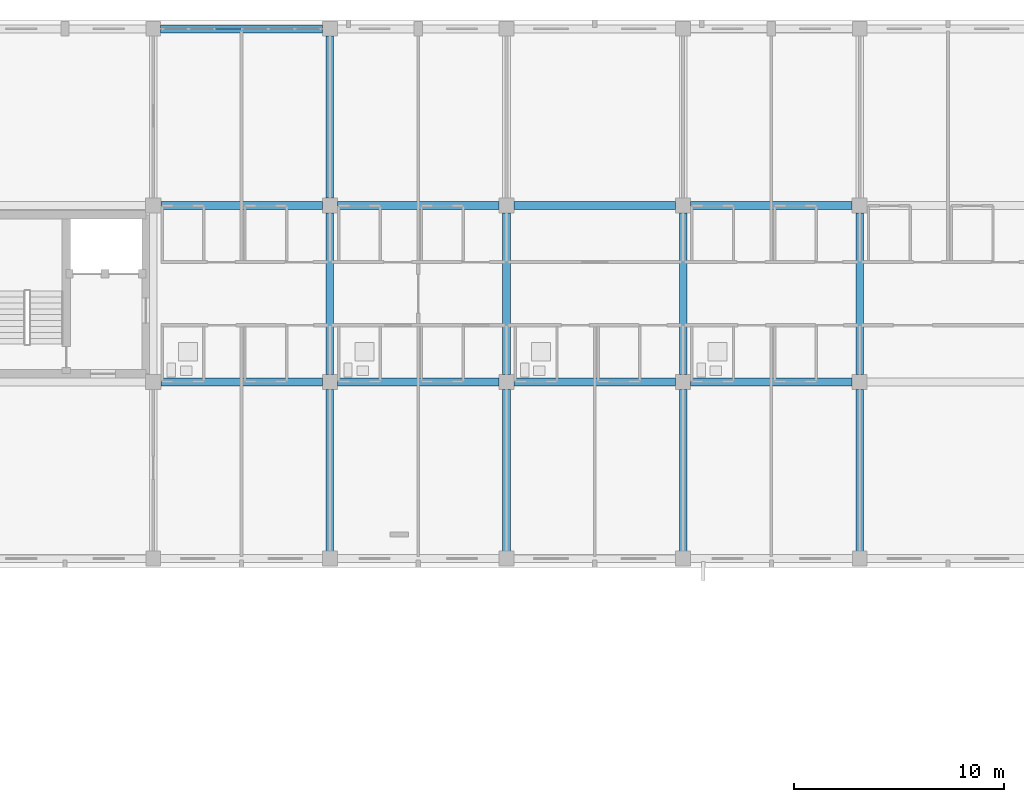
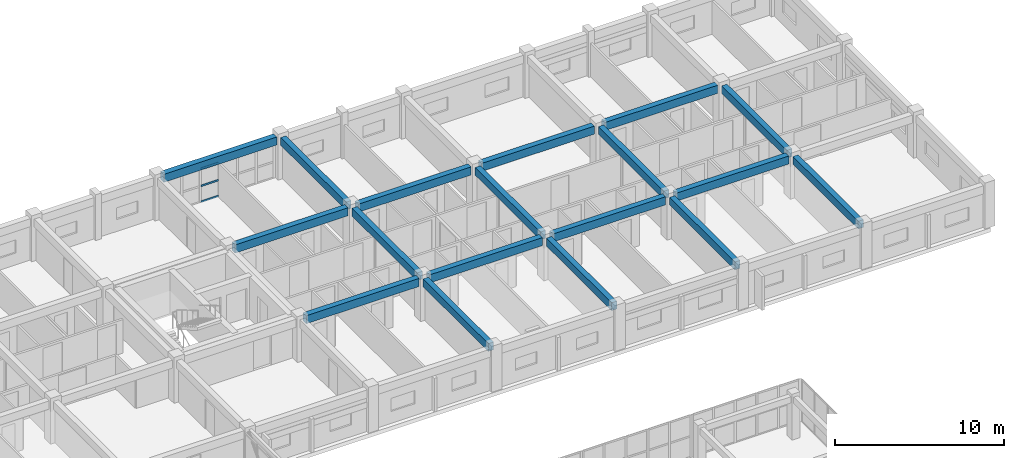
# One storey, part 85 of 148: 18 beams, 3 members, 1 element without a shape of its own.
"""IFC4 building model written with IfcOpenShell, lengths in metres."""

import ifcopenshell
import ifcopenshell.guid

model = None  # the IFC model being written
_history = None  # IfcOwnerHistory: only IFC2X3 demands one
_inside = {}  # id of a spatial element -> (the spatial element, [elements in it])
_under = {}  # id of a project, library or spatial element -> (it, [spatial elements below it])
_declared = {}  # id of a project -> (the project, [libraries it declares])
_typed = {}  # id of a type object -> (the type object, [elements of that type])
_made_of = {}  # id of a material, layer set ... -> (it, [elements and type objects made of it])


def new_model(schema):
    """Start an empty IFC model of exactly this schema.

    Asked for "IFC4X3", IfcOpenShell would pick the latest addendum, in which some entities
    have other attributes; the version numbers below select the first issue.
    IFC2X3 requires an IfcOwnerHistory on every rooted entity: one is made here for all.
    """
    global model, _history
    if schema == "IFC4X3":
        model = ifcopenshell.file(schema_version=(4, 3, 0, 0))
    else:
        model = ifcopenshell.file(schema=schema)
    _inside.clear()
    _under.clear()
    _declared.clear()
    _typed.clear()
    _made_of.clear()
    _history = None
    if model.schema == "IFC2X3":
        org = make("IfcOrganization", Name="unknown")
        user = make(
            "IfcPersonAndOrganization",
            ThePerson=make("IfcPerson", FamilyName="unknown"),
            TheOrganization=org,
        )
        app = make(
            "IfcApplication",
            ApplicationDeveloper=org,
            Version="unknown",
            ApplicationFullName="unknown",
            ApplicationIdentifier="unknown",
        )
        _history = make(
            "IfcOwnerHistory",
            OwningUser=user,
            OwningApplication=app,
            ChangeAction="ADDED",
            CreationDate=0,
        )
    return model


def make(cls, **values):
    """One entity of the class cls with the attributes given. An attribute that is None is left unset."""
    return model.create_entity(
        cls, **{name: value for name, value in values.items() if value is not None}
    )


def rooted(cls, **values):
    """An entity with a GlobalId (a new one), such as an element, a storey or a relation."""
    return make(cls, GlobalId=ifcopenshell.guid.new(), OwnerHistory=_history, **values)


def si_unit(unit_type, name, prefix=None):
    """IfcSIUnit, for example si_unit("LENGTHUNIT", "METRE", prefix="MILLI")."""
    return make("IfcSIUnit", UnitType=unit_type, Prefix=prefix, Name=name)


def assignment(units):
    """IfcUnitAssignment: the units of a project."""
    return None if units is None else make("IfcUnitAssignment", Units=units)


def point(xyz):
    """IfcCartesianPoint."""
    return None if xyz is None else make("IfcCartesianPoint", Coordinates=xyz)


def direction(xyz):
    """IfcDirection."""
    return None if xyz is None else make("IfcDirection", DirectionRatios=xyz)


def frame(location, z_axis=None, x_axis=None):
    """IfcAxis2Placement3D, a coordinate frame: its origin and axes. An axis left out is left unset."""
    return make(
        "IfcAxis2Placement3D",
        Location=point(location),
        Axis=direction(z_axis),
        RefDirection=direction(x_axis),
    )


def frame_2d(location, x_axis=None):
    """IfcAxis2Placement2D, a coordinate frame in the plane: its origin and x axis."""
    return make(
        "IfcAxis2Placement2D", Location=point(location), RefDirection=direction(x_axis)
    )


def origin():
    """The frame at (0, 0, 0) with its axes left unset."""
    return frame((0.0, 0.0, 0.0))


def origin_2d():
    """The frame at (0, 0) in the plane with its x axis left unset."""
    return frame_2d((0.0, 0.0))


def place(relative_to, where):
    """IfcLocalPlacement: puts the frame where relative to a parent placement (None: the world)."""
    return make(
        "IfcLocalPlacement", PlacementRelTo=relative_to, RelativePlacement=where
    )


def context(
    kind, dimensions, precision=None, world=None, true_north=None, identifier=None
):
    """IfcGeometricRepresentationContext, for example the 3D "Model" context."""
    return make(
        "IfcGeometricRepresentationContext",
        ContextIdentifier=identifier,
        ContextType=kind,
        CoordinateSpaceDimension=dimensions,
        Precision=precision,
        WorldCoordinateSystem=world,
        TrueNorth=true_north,
    )


def subcontext(parent, identifier, kind, view, scale=None):
    """IfcGeometricRepresentationSubContext, for example "Body" below "Model"."""
    return make(
        "IfcGeometricRepresentationSubContext",
        ContextIdentifier=identifier,
        ContextType=kind,
        ParentContext=parent,
        TargetScale=scale,
        TargetView=view,
    )


def project(units=None, contexts=None):
    """IfcProject with its units and contexts."""
    return rooted(
        "IfcProject",
        Name="project",
        RepresentationContexts=contexts,
        UnitsInContext=assignment(units),
    )


def spatial(cls, under=None, at=None, **own):
    """A site, building, storey or space (cls), placed at a placement, below another one or the project."""
    s = rooted(cls, ObjectPlacement=at, **own)
    if under is not None:
        _under.setdefault(under.id(), (under, []))[1].append(s)
    return s


def profile(cls, at=None, kind="AREA", **sizes):
    """A parametric profile (cls). Its sizes go by their IFC names, for example OverallWidth=200.0."""
    return make(cls, ProfileType=kind, Position=at, **sizes)


def rectangle(**sizes):
    """IfcRectangleProfileDef."""
    return profile("IfcRectangleProfileDef", **sizes)


def hollow_rectangle(**sizes):
    """IfcRectangleHollowProfileDef."""
    return profile("IfcRectangleHollowProfileDef", **sizes)


def extrude(swept, where, along, depth):
    """IfcExtrudedAreaSolid: the profile swept, set in the frame where, extruded along a direction by depth."""
    return make(
        "IfcExtrudedAreaSolid",
        SweptArea=swept,
        Position=where,
        ExtrudedDirection=direction(along),
        Depth=depth,
    )


def shape(context_of_items, identifier, shape_type, items):
    """IfcShapeRepresentation: the items that make up one representation, for example the "Body"."""
    return make(
        "IfcShapeRepresentation",
        ContextOfItems=context_of_items,
        RepresentationIdentifier=identifier,
        RepresentationType=shape_type,
        Items=items,
    )


def material(Name=None, Category=None):
    """IfcMaterial."""
    return make("IfcMaterial", Name=Name, Category=Category)


def layer(
    of_material, thickness, ventilated=None, Name=None, Category=None, Priority=None
):
    """IfcMaterialLayer: one layer of a wall or slab, of a material (None: an air gap)."""
    return make(
        "IfcMaterialLayer",
        Material=of_material,
        LayerThickness=thickness,
        IsVentilated=ventilated,
        Name=Name,
        Category=Category,
        Priority=Priority,
    )


def layer_set(layers, Name=None):
    """IfcMaterialLayerSet."""
    return make("IfcMaterialLayerSet", MaterialLayers=layers, LayerSetName=Name)


def material_profile(
    of_material, cross_section, Name=None, Category=None, Priority=None
):
    """IfcMaterialProfile: a cross section and its material."""
    return make(
        "IfcMaterialProfile",
        Name=Name,
        Material=of_material,
        Profile=cross_section,
        Priority=Priority,
        Category=Category,
    )


def profile_set(profiles, Name=None, composite=None):
    """IfcMaterialProfileSet."""
    return make(
        "IfcMaterialProfileSet",
        Name=Name,
        MaterialProfiles=profiles,
        CompositeProfile=composite,
    )


def made_of(thing, what):
    """Note that an element or type object is made of a material, layer set ...; save() writes the relation."""
    if what is not None:
        _made_of.setdefault(what.id(), (what, []))[1].append(thing)
    return thing


def type_object(cls, material=None, **own):
    """A type object (cls), such as IfcWallType, which elements share."""
    return made_of(rooted(cls, **own), material)


def element(
    cls,
    number,
    at=None,
    inside=None,
    cuts=None,
    type_object=None,
    material=None,
    context=None,
    identifier="Body",
    shape_type=None,
    held_by="IfcProductDefinitionShape",
    body=None,
    shapes=None,
    **own,
):
    """One element of the class cls, such as IfcWall. Its Tag is "e" and its number.

    at: its placement. inside: the storey or other place that contains it. cuts: it is an
    opening in that element (IfcRelVoidsElement). A single representation is given by context,
    identifier, shape_type and body (its items); several are given by shapes. held_by: the class
    of the entity that holds the representations. save() writes the other relations.
    """
    e = rooted(cls, Tag="e%d" % number, ObjectPlacement=at, **own)
    if body is not None:
        shapes = [shape(context, identifier, shape_type, body)]
    if shapes is not None:
        e.Representation = make(held_by, Representations=shapes)
    if inside is not None:
        _inside.setdefault(inside.id(), (inside, []))[1].append(e)
    if cuts is not None:
        rooted(
            "IfcRelVoidsElement", RelatingBuildingElement=cuts, RelatedOpeningElement=e
        )
    if type_object is not None:
        _typed.setdefault(type_object.id(), (type_object, []))[1].append(e)
    return made_of(e, material)


def aggregate(whole, parts):
    """IfcRelAggregates: a whole, such as a stair, and the parts it consists of."""
    return rooted("IfcRelAggregates", RelatingObject=whole, RelatedObjects=parts)


def save(model, path):
    """Write the relations noted so far, then the file.

    IfcRelAggregates (storeys below a building ...), IfcRelContainedInSpatialStructure (elements
    in a storey), IfcRelDefinesByType, IfcRelAssociatesMaterial and IfcRelDeclares: one each for
    every whole, place, type object, material and project.
    """
    for whole, parts in _under.values():
        aggregate(whole, parts)
    for where, things in _inside.values():
        rooted(
            "IfcRelContainedInSpatialStructure",
            RelatedElements=things,
            RelatingStructure=where,
        )
    for kind, things in _typed.values():
        rooted("IfcRelDefinesByType", RelatedObjects=things, RelatingType=kind)
    for what, things in _made_of.values():
        rooted("IfcRelAssociatesMaterial", RelatedObjects=things, RelatingMaterial=what)
    for by, libraries in _declared.values():
        rooted("IfcRelDeclares", RelatingContext=by, RelatedDefinitions=libraries)
    model.write(path)


model = new_model("IFC4")

# Units and contexts
model_context = context("Model", 3, precision=1e-05, world=origin(), true_north=direction((0.0, 1.0)))
body_context = subcontext(model_context, "Body", "Model", "MODEL_VIEW")
ifc_project = project(units=[si_unit("LENGTHUNIT", "METRE"), si_unit("AREAUNIT", "SQUARE_METRE"), si_unit("VOLUMEUNIT", "CUBIC_METRE"), si_unit("PLANEANGLEUNIT", "RADIAN"), si_unit("MASSUNIT", "GRAM", prefix="KILO")], contexts=[model_context])

# Site, building, storey
site_placement = place(None, origin())
site = spatial("IfcSite", under=ifc_project, at=site_placement, CompositionType="ELEMENT")
building_placement = place(site_placement, origin())
building = spatial("IfcBuilding", under=site, at=building_placement, Name="Trelvath General Hospital", CompositionType="ELEMENT")
storey_placement = place(building_placement, frame((0.0, 0.0, 12.89990234375)))
storey = spatial("IfcBuildingStorey", under=building, at=storey_placement, Name="L03", CompositionType="ELEMENT", Elevation=12.89990234375)

# Beams
ifc_material_1 = material(Name="Concrete C35/45", Category="concrete")
ifc_material_profile_1 = material_profile(ifc_material_1, rectangle(XDim=0.360107421875, YDim=0.56005859375, at=origin_2d()), Name="RCB360x560")
ifc_profile_set_1 = profile_set([ifc_material_profile_1], Name="Concrete C35/45")
beam_type_1 = type_object("IfcBeamType", Name="Beam RC360x560", PredefinedType="BEAM", material=ifc_profile_set_1)
beam_1_placement = place(storey_placement, frame((100.800048828125, 92.7451171875, 2.739990234375), z_axis=(0.0, 1.0, 0.0), x_axis=(-1.0, 0.0, 0.0)))
element("IfcBeam", 1, at=beam_1_placement, inside=storey, type_object=beam_type_1, Name="Grid Beam BY-312L", PredefinedType="BEAM", context=body_context, shape_type="SweptSolid", body=[
    extrude(rectangle(XDim=0.360107421875, YDim=0.56005859375, at=origin_2d()), origin(), (0.0, 0.0, 1.0), 7.699951171875),
])
beam_2_placement = place(storey_placement, frame((100.800048828125, 101.155029296875, 2.739990234375), z_axis=(0.0, 1.0, 0.0), x_axis=(-1.0, 0.0, 0.0)))
element("IfcBeam", 2, at=beam_2_placement, inside=storey, type_object=beam_type_1, Name="Grid Beam BY-312M", PredefinedType="BEAM", context=body_context, shape_type="SweptSolid", body=[
    extrude(rectangle(XDim=0.360107421875, YDim=0.56005859375, at=origin_2d()), origin(), (0.0, 0.0, 1.0), 7.68994140625),
])
for number, where, z_axis, x_axis, name in (
    (3, (100.800048828125, 109.554931640625, 2.739990234375), (0.0, 1.0, 0.0), (-1.0, 0.0, 0.0), "Grid Beam BY-312N"),
    (4, (109.199951171875, 92.7451171875, 2.739990234375), (0.0, 1.0, 0.0), (-1.0, 0.0, 0.0), "Grid Beam BY-313L"),
):
    element("IfcBeam", number, at=place(storey_placement, frame(where, z_axis=z_axis, x_axis=x_axis)), inside=storey, type_object=beam_type_1, Name=name, PredefinedType="BEAM", context=body_context, shape_type="SweptSolid", body=[
        extrude(rectangle(XDim=0.360107421875, YDim=0.56005859375, at=origin_2d()), origin(), (0.0, 0.0, 1.0), 7.699951171875),
    ])
beam_3_placement = place(storey_placement, frame((109.199951171875, 101.155029296875, 2.739990234375), z_axis=(0.0, 1.0, 0.0), x_axis=(-1.0, 0.0, 0.0)))
element("IfcBeam", 5, at=beam_3_placement, inside=storey, type_object=beam_type_1, Name="Grid Beam BY-313M", PredefinedType="BEAM", context=body_context, shape_type="SweptSolid", body=[
    extrude(rectangle(XDim=0.360107421875, YDim=0.56005859375, at=origin_2d()), origin(), (0.0, 0.0, 1.0), 7.68994140625),
])
beam_4_placement = place(storey_placement, frame((117.60009765625, 92.7451171875, 2.739990234375), z_axis=(0.0, 1.0, 0.0), x_axis=(-1.0, 0.0, 0.0)))
element("IfcBeam", 6, at=beam_4_placement, inside=storey, type_object=beam_type_1, Name="Grid Beam BY-314L", PredefinedType="BEAM", context=body_context, shape_type="SweptSolid", body=[
    extrude(rectangle(XDim=0.360107421875, YDim=0.56005859375, at=origin_2d()), origin(), (0.0, 0.0, 1.0), 7.699951171875),
])
beam_5_placement = place(storey_placement, frame((117.60009765625, 101.155029296875, 2.739990234375), z_axis=(0.0, 1.0, 0.0), x_axis=(-1.0, 0.0, 0.0)))
element("IfcBeam", 7, at=beam_5_placement, inside=storey, type_object=beam_type_1, Name="Grid Beam BY-314M", PredefinedType="BEAM", context=body_context, shape_type="SweptSolid", body=[
    extrude(rectangle(XDim=0.360107421875, YDim=0.56005859375, at=origin_2d()), origin(), (0.0, 0.0, 1.0), 7.68994140625),
])
beam_6_placement = place(storey_placement, frame((126.0, 92.7451171875, 2.739990234375), z_axis=(0.0, 1.0, 0.0), x_axis=(-1.0, 0.0, 0.0)))
element("IfcBeam", 8, at=beam_6_placement, inside=storey, type_object=beam_type_1, Name="Grid Beam BY-315L", PredefinedType="BEAM", context=body_context, shape_type="SweptSolid", body=[
    extrude(rectangle(XDim=0.360107421875, YDim=0.56005859375, at=origin_2d()), origin(), (0.0, 0.0, 1.0), 7.699951171875),
])
beam_7_placement = place(storey_placement, frame((126.0, 101.155029296875, 2.739990234375), z_axis=(0.0, 1.0, 0.0), x_axis=(-1.0, 0.0, 0.0)))
element("IfcBeam", 9, at=beam_7_placement, inside=storey, type_object=beam_type_1, Name="Grid Beam BY-315M", PredefinedType="BEAM", context=body_context, shape_type="SweptSolid", body=[
    extrude(rectangle(XDim=0.360107421875, YDim=0.56005859375, at=origin_2d()), origin(), (0.0, 0.0, 1.0), 7.68994140625),
])
ifc_material_2 = material(Name="Concrete C35/45", Category="concrete")
ifc_material_profile_2 = material_profile(ifc_material_2, rectangle(XDim=0.3798828125, YDim=0.580078125, at=origin_2d()), Name="RCB380x580")
ifc_profile_set_2 = profile_set([ifc_material_profile_2], Name="Concrete C35/45")
beam_type_2 = type_object("IfcBeamType", Name="Beam RC380x580", PredefinedType="BEAM", material=ifc_profile_set_2)
for number, where, z_axis, x_axis, name in (
    (10, (92.7548828125, 100.800048828125, 2.72998046875), (1.0, 0.0, 0.0), (0.0, 1.0, 0.0), "Grid Beam BX-311M"),
    (11, (92.7548828125, 109.199951171875, 2.72998046875), (1.0, 0.0, 0.0), (0.0, 1.0, 0.0), "Grid Beam BX-311N"),
):
    element("IfcBeam", number, at=place(storey_placement, frame(where, z_axis=z_axis, x_axis=x_axis)), inside=storey, type_object=beam_type_2, Name=name, PredefinedType="BEAM", context=body_context, shape_type="SweptSolid", body=[
        extrude(rectangle(XDim=0.3798828125, YDim=0.580078125, at=origin_2d()), origin(), (0.0, 0.0, 1.0), 7.690185546875),
    ])
beam_8_placement = place(storey_placement, frame((92.7451171875, 117.60009765625, 2.72998046875), z_axis=(1.0, 0.0, 0.0), x_axis=(0.0, 1.0, 0.0)))
element("IfcBeam", 12, at=beam_8_placement, inside=storey, type_object=beam_type_2, Name="Grid Beam BX-311O", PredefinedType="BEAM", context=body_context, shape_type="SweptSolid", body=[
    extrude(rectangle(XDim=0.3798828125, YDim=0.580078125, at=origin_2d()), origin(), (0.0, 0.0, 1.0), 7.7099609375),
])
for number, where, z_axis, x_axis, name in (
    (13, (101.155029296875, 100.800048828125, 2.72998046875), (1.0, 0.0, 0.0), (0.0, 1.0, 0.0), "Grid Beam BX-312M"),
    (14, (101.155029296875, 109.199951171875, 2.72998046875), (1.0, 0.0, 0.0), (0.0, 1.0, 0.0), "Grid Beam BX-312N"),
):
    element("IfcBeam", number, at=place(storey_placement, frame(where, z_axis=z_axis, x_axis=x_axis)), inside=storey, type_object=beam_type_2, Name=name, PredefinedType="BEAM", context=body_context, shape_type="SweptSolid", body=[
        extrude(rectangle(XDim=0.3798828125, YDim=0.580078125, at=origin_2d()), origin(), (0.0, 0.0, 1.0), 7.68994140625),
    ])
for number, where, z_axis, x_axis, name in (
    (15, (109.554931640625, 100.800048828125, 2.72998046875), (1.0, 0.0, 0.0), (0.0, 1.0, 0.0), "Grid Beam BX-313M"),
    (16, (109.554931640625, 109.199951171875, 2.72998046875), (1.0, 0.0, 0.0), (0.0, 1.0, 0.0), "Grid Beam BX-313N"),
):
    element("IfcBeam", number, at=place(storey_placement, frame(where, z_axis=z_axis, x_axis=x_axis)), inside=storey, type_object=beam_type_2, Name=name, PredefinedType="BEAM", context=body_context, shape_type="SweptSolid", body=[
        extrude(rectangle(XDim=0.3798828125, YDim=0.580078125, at=origin_2d()), origin(), (0.0, 0.0, 1.0), 7.690185546875),
    ])
for number, where, z_axis, x_axis, name in (
    (17, (117.955078125, 100.800048828125, 2.72998046875), (1.0, 0.0, 0.0), (0.0, 1.0, 0.0), "Grid Beam BX-314M"),
    (18, (117.955078125, 109.199951171875, 2.72998046875), (1.0, 0.0, 0.0), (0.0, 1.0, 0.0), "Grid Beam BX-314N"),
):
    element("IfcBeam", number, at=place(storey_placement, frame(where, z_axis=z_axis, x_axis=x_axis)), inside=storey, type_object=beam_type_2, Name=name, PredefinedType="BEAM", context=body_context, shape_type="SweptSolid", body=[
        extrude(rectangle(XDim=0.3798828125, YDim=0.580078125, at=origin_2d()), origin(), (0.0, 0.0, 1.0), 7.68994140625),
    ])

# Curtain wall, members
ifc_material_3 = material(Name="Anodised aluminium and low-E glass", Category="aluminium")
ifc_layer = layer(ifc_material_3, 0.159912109375)
ifc_layer_set = layer_set([ifc_layer], Name="Anodised aluminium and low-E glass")
curtain_wall_type = type_object("IfcCurtainWallType", Name="CW Facade 759 244 16", PredefinedType="USERDEFINED", material=ifc_layer_set)
curtain_wall_placement = place(storey_placement, origin())
curtain_wall = element("IfcCurtainWall", 19, at=curtain_wall_placement, inside=storey, type_object=curtain_wall_type, Name="Facade Curtain Wall CW-061", ObjectType="Unitised Glazed Curtain Wall", PredefinedType="USERDEFINED")
ifc_material_4 = material(Name="Anodised aluminium", Category="aluminium")
ifc_material_profile_3 = material_profile(ifc_material_4, hollow_rectangle(XDim=0.06005859375, YDim=0.125, WallThickness=0.00390625, at=origin_2d()), Name="RHS60x125x4")
ifc_profile_set_3 = profile_set([ifc_material_profile_3], Name="Anodised aluminium")
member_type = type_object("IfcMemberType", Name="CurtainTransom 60x125", PredefinedType="USERDEFINED", material=ifc_profile_set_3)
member_1_placement = place(storey_placement, frame((95.364990234375, 117.60009765625, 0.030029296875), z_axis=(1.0, 0.0, 0.0), x_axis=(0.0, 1.0, 0.0)))
member_1 = element("IfcMember", 20, at=member_1_placement, type_object=member_type, Name="CW-061 transom 3.1", ObjectType="TRANSOM", PredefinedType="USERDEFINED", context=body_context, shape_type="SweptSolid", body=[
    extrude(hollow_rectangle(XDim=0.06005859375, YDim=0.125, WallThickness=0.00390625, at=origin_2d()), origin(), (0.0, 0.0, 1.0), 1.205078125),
])
member_2_placement = place(storey_placement, frame((95.364990234375, 117.60009765625, 1.171142578125), z_axis=(1.0, 0.0, 0.0), x_axis=(0.0, 1.0, 0.0)))
member_2 = element("IfcMember", 21, at=member_2_placement, type_object=member_type, Name="CW-061 transom 3.2", ObjectType="TRANSOM", PredefinedType="USERDEFINED", context=body_context, shape_type="SweptSolid", body=[
    extrude(hollow_rectangle(XDim=0.06005859375, YDim=0.125, WallThickness=0.00390625, at=origin_2d()), origin(), (0.0, 0.0, 1.0), 1.205078125),
])
member_3_placement = place(storey_placement, frame((95.364990234375, 117.60009765625, 2.41015625), z_axis=(1.0, 0.0, 0.0), x_axis=(0.0, 1.0, 0.0)))
member_3 = element("IfcMember", 22, at=member_3_placement, type_object=member_type, Name="CW-061 transom 3.3", ObjectType="TRANSOM", PredefinedType="USERDEFINED", context=body_context, shape_type="SweptSolid", body=[
    extrude(hollow_rectangle(XDim=0.06005859375, YDim=0.125, WallThickness=0.00390625, at=origin_2d()), origin(), (0.0, 0.0, 1.0), 1.205078125),
])
aggregate(curtain_wall, [member_1, member_2, member_3])

save(model, "model.ifc")
